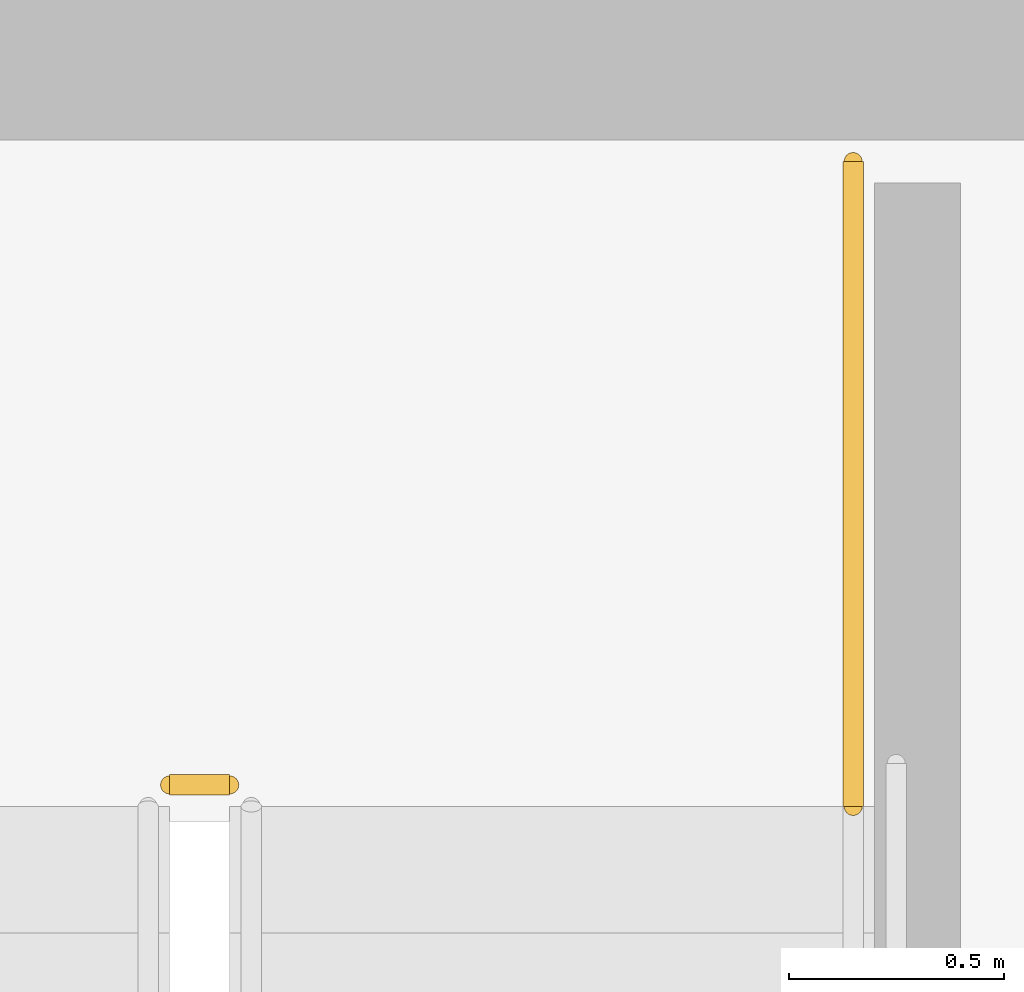
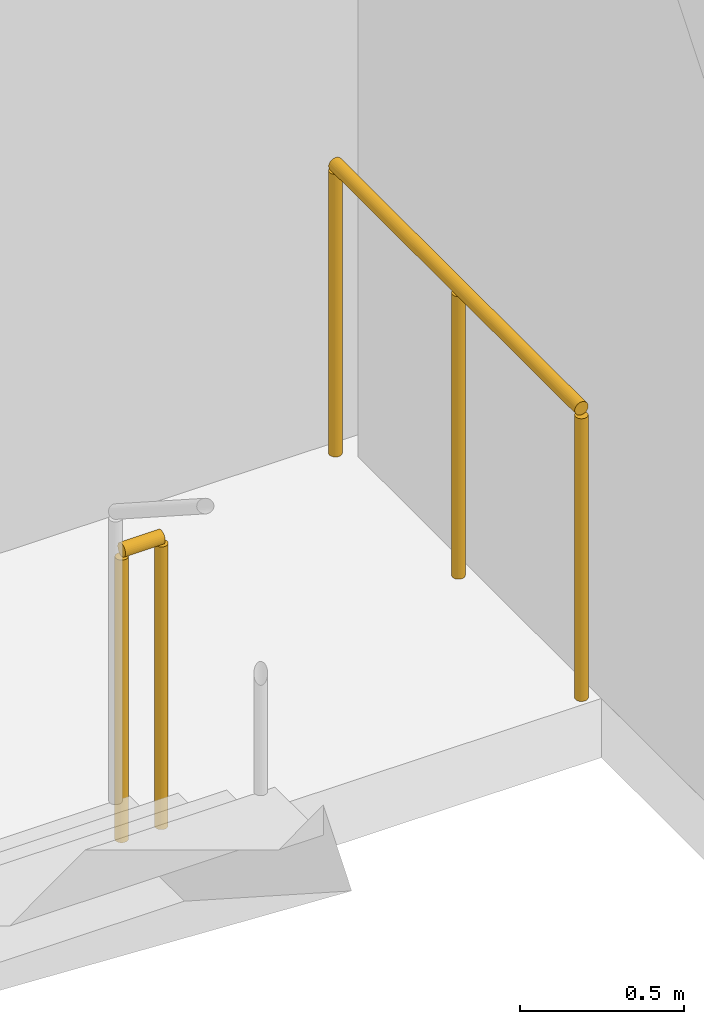
# One storey, part 29 of 29: 2 railings.
"""IFC4 building model written with IfcOpenShell, lengths in metres."""

from ifc_helpers import new_model, si_unit, direction, frame, origin, origin_2d, place, context, subcontext, project, spatial, circle, extrude, material, layer, layer_set, type_object, element, save


model = new_model("IFC4")

# Units and contexts
model_context = context("Model", 3, precision=1e-05, world=origin(), true_north=direction((0.0, 1.0)))
body_context = subcontext(model_context, "Body", "Model", "MODEL_VIEW")
ifc_project = project(units=[si_unit("LENGTHUNIT", "METRE"), si_unit("AREAUNIT", "SQUARE_METRE"), si_unit("VOLUMEUNIT", "CUBIC_METRE"), si_unit("PLANEANGLEUNIT", "RADIAN"), si_unit("MASSUNIT", "GRAM", prefix="KILO")], contexts=[model_context])

# Site, building, storey
site_placement = place(None, origin())
site = spatial("IfcSite", under=ifc_project, at=site_placement, CompositionType="ELEMENT")
building_placement = place(site_placement, origin())
building = spatial("IfcBuilding", under=site, at=building_placement, Name="Ndaravel Arena Tower", CompositionType="ELEMENT")
storey_placement = place(building_placement, frame((0.0, 0.0, 237.0)))
storey = spatial("IfcBuildingStorey", under=building, at=storey_placement, Name="L57", CompositionType="ELEMENT", Elevation=237.0)

# Railings
ifc_material = material(Name="Steel S355", Category="steel")
ifc_layer = layer(ifc_material, 0.06005859375)
ifc_layer_set = layer_set([ifc_layer], Name="Steel S355")
railing_type = type_object("IfcRailingType", Name="RAIL-STAIR-GD1100", PredefinedType="GUARDRAIL", material=ifc_layer_set)
railing_1_placement = place(storey_placement, frame((55.10009765625, 13.300048828125, 0.0)))
element("IfcRailing", 1, at=railing_1_placement, inside=storey, type_object=railing_type, Name="L57 ST-3 stair guard 4", PredefinedType="GUARDRAIL", context=body_context, shape_type="SweptSolid", body=[
    extrude(circle(Radius=0.02392578125, at=origin_2d()), frame((0.0, 0.0, 1.076171875), z_axis=(1.0, 0.0, 0.0), x_axis=(0.0, 1.0, 0.0)), (0.0, 0.0, 1.0), 0.139892578125),
    extrude(circle(Radius=0.02099609375, at=origin_2d()), origin(), (0.0, 0.0, 1.0), 1.052001953125),
    extrude(circle(Radius=0.02099609375, at=origin_2d()), frame((0.139892578125, 0.0, 0.0)), (0.0, 0.0, 1.0), 1.052001953125),
])
railing_2_placement = place(storey_placement, frame((56.68994140625, 14.75, 0.0)))
element("IfcRailing", 2, at=railing_2_placement, inside=storey, type_object=railing_type, Name="L57 ST-3 stair guard 5", PredefinedType="GUARDRAIL", context=body_context, shape_type="SweptSolid", body=[
    extrude(circle(Radius=0.02392578125, at=origin_2d()), frame((0.0, 0.0, 1.076171875), z_axis=(0.0, -1.0, 0.0), x_axis=(1.0, 0.0, 0.0)), (0.0, 0.0, 1.0), 1.5),
    extrude(circle(Radius=0.02099609375, at=origin_2d()), origin(), (0.0, 0.0, 1.0), 1.052001953125),
    extrude(circle(Radius=0.02099609375, at=origin_2d()), frame((0.0, -0.75, 0.0)), (0.0, 0.0, 1.0), 1.052001953125),
    extrude(circle(Radius=0.02099609375, at=origin_2d()), frame((0.0, -1.5, 0.0)), (0.0, 0.0, 1.0), 1.052001953125),
])

save(model, "model.ifc")
